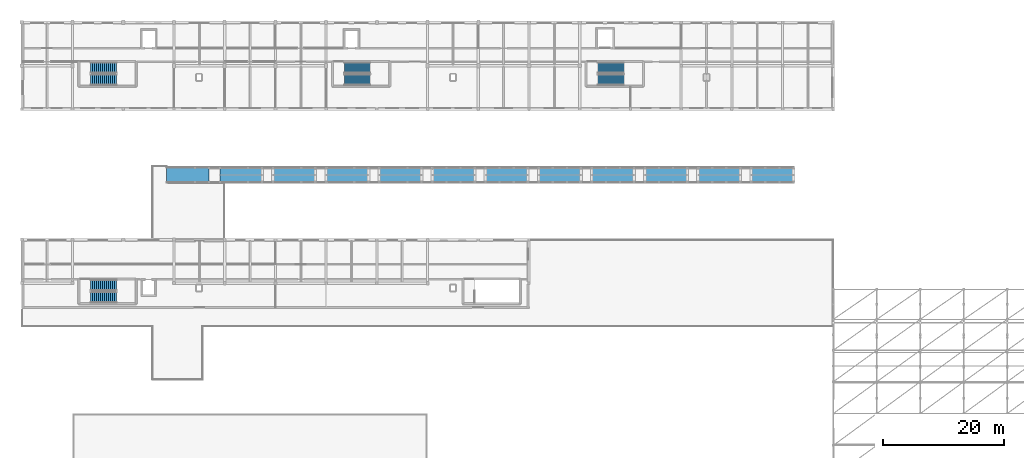
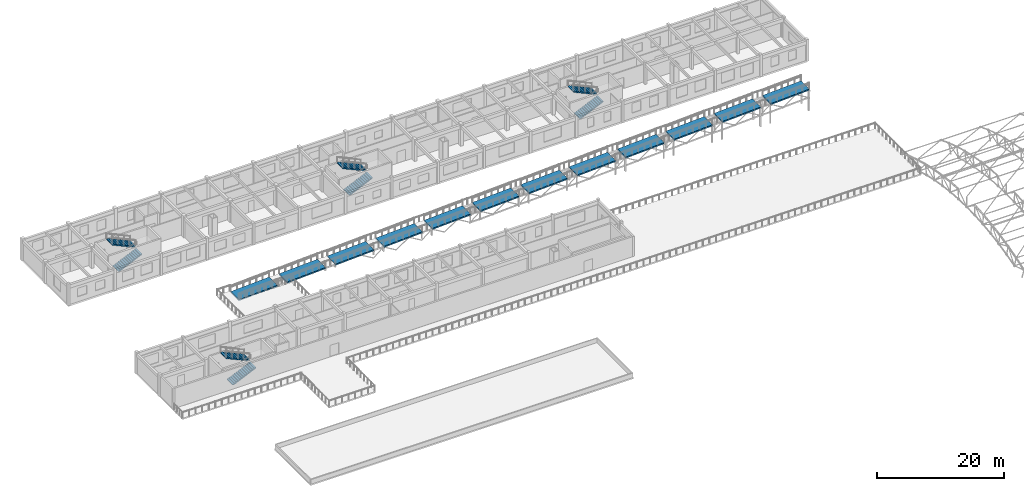
# One storey, part 34 of 41: 12 ramp flights, 8 stair flights, 5 elements without a shape of their own.
"""IFC4 building model written with IfcOpenShell, lengths in metres."""

from ifc_helpers import new_model, si_unit, direction, frame, origin, place, context, subcontext, project, spatial, polyline, outline, extrude, material, layer, layer_set, type_object, element, aggregate, save


model = new_model("IFC4")

# Units and contexts
model_context = context("Model", 3, precision=1e-05, world=origin(), true_north=direction((0.0, 1.0)))
body_context = subcontext(model_context, "Body", "Model", "MODEL_VIEW")
ifc_project = project(units=[si_unit("LENGTHUNIT", "METRE"), si_unit("AREAUNIT", "SQUARE_METRE"), si_unit("VOLUMEUNIT", "CUBIC_METRE"), si_unit("PLANEANGLEUNIT", "RADIAN"), si_unit("MASSUNIT", "GRAM", prefix="KILO")], contexts=[model_context])

# Site, building, storey
site_placement = place(None, origin())
site = spatial("IfcSite", under=ifc_project, at=site_placement, CompositionType="ELEMENT")
building_placement = place(site_placement, origin())
building = spatial("IfcBuilding", under=site, at=building_placement, Name="Malvenik Polytechnic", CompositionType="ELEMENT")
storey_placement = place(building_placement, frame((0.0, 0.0, 17.699951171875)))
storey = spatial("IfcBuildingStorey", under=building, at=storey_placement, Name="L04", CompositionType="ELEMENT", Elevation=17.699951171875)

# Stair, stair flights
ifc_material = material(Name="Concrete C35/45", Category="concrete")
stair_type_1 = type_object("IfcStairType", Name="ARC-STR-ST-01", PredefinedType="HALF_TURN_STAIR", material=ifc_material)
stair_1_placement = place(storey_placement, origin())
stair_1 = element("IfcStair", 1, at=stair_1_placement, inside=storey, type_object=stair_type_1, Name="L04 Escape Stair ST-01", PredefinedType="HALF_TURN_STAIR")
ifc_layer_1 = layer(ifc_material, 0.159912109375)
ifc_layer_set_1 = layer_set([ifc_layer_1], Name="Concrete C35/45")
stair_flight_type_1 = type_object("IfcStairFlightType", Name="ARC-SFL-SFL-180A", PredefinedType="STRAIGHT", material=ifc_layer_set_1)
stair_flight_1_placement = place(storey_placement, frame((11.39990234375, 120.050048828125, 0.0), z_axis=(0.0, 0.0, 1.0), x_axis=(1.0, 0.0, 0.0)))
stair_flight_1 = element("IfcStairFlight", 2, at=stair_flight_1_placement, type_object=stair_flight_type_1, Name="ST-01 flight 1", NumberOfRisers=14, NumberOfTreads=13, PredefinedType="STRAIGHT", RiserHeight=0.15, TreadLength=0.33, context=body_context, shape_type="SweptSolid", body=[
    extrude(outline(polyline([(0.0, 0.0), (0.0, 0.14990234375), (0.330078125, 0.14990234375), (0.330078125, 0.300048828125), (0.659912109375, 0.300048828125), (0.659912109375, 0.449951171875), (0.989990234375, 0.449951171875), (0.989990234375, 0.60009765625), (1.320068359375, 0.60009765625), (1.320068359375, 0.75), (1.64990234375, 0.75), (1.64990234375, 0.89990234375), (1.97998046875, 0.89990234375), (1.97998046875, 1.050048828125), (2.31005859375, 1.050048828125), (2.31005859375, 1.199951171875), (2.639892578125, 1.199951171875), (2.639892578125, 1.35009765625), (2.969970703125, 1.35009765625), (2.969970703125, 1.5), (3.300048828125, 1.5), (3.300048828125, 1.64990234375), (3.6298828125, 1.64990234375), (3.6298828125, 1.800048828125), (3.9599609375, 1.800048828125), (3.9599609375, 1.949951171875), (4.2900390625, 1.949951171875), (4.2900390625, 2.10009765625), (4.2900390625, 1.7744140625), (0.386474609375, 0.0), (0.0, 0.0)])), frame((0.0, 0.89990234375, 0.0), z_axis=(0.0, -1.0, 0.0), x_axis=(1.0, 0.0, 0.0)), (0.0, 0.0, 1.0), 1.800048828125),
])
stair_flight_2_placement = place(storey_placement, frame((15.68994140625, 122.050048828125, 2.10009765625), z_axis=(0.0, 0.0, 1.0), x_axis=(-1.0, 0.0, 0.0)))
stair_flight_2 = element("IfcStairFlight", 3, at=stair_flight_2_placement, type_object=stair_flight_type_1, Name="ST-01 flight 2", NumberOfRisers=14, NumberOfTreads=13, PredefinedType="STRAIGHT", RiserHeight=0.15, TreadLength=0.33, context=body_context, shape_type="SweptSolid", body=[
    extrude(outline(polyline([(0.0, 0.0), (0.0, 0.14990234375), (0.330078125, 0.14990234375), (0.330078125, 0.300048828125), (0.659912109375, 0.300048828125), (0.659912109375, 0.449951171875), (0.989990234375, 0.449951171875), (0.989990234375, 0.60009765625), (1.320068359375, 0.60009765625), (1.320068359375, 0.75), (1.64990234375, 0.75), (1.64990234375, 0.89990234375), (1.97998046875, 0.89990234375), (1.97998046875, 1.050048828125), (2.31005859375, 1.050048828125), (2.31005859375, 1.199951171875), (2.639892578125, 1.199951171875), (2.639892578125, 1.35009765625), (2.969970703125, 1.35009765625), (2.969970703125, 1.5), (3.300048828125, 1.5), (3.300048828125, 1.64990234375), (3.6298828125, 1.64990234375), (3.6298828125, 1.800048828125), (3.9599609375, 1.800048828125), (3.9599609375, 1.949951171875), (4.2900390625, 1.949951171875), (4.2900390625, 2.10009765625), (4.2900390625, 1.7744140625), (0.386474609375, 0.0), (0.0, 0.0)])), frame((0.0, 0.89990234375, 0.0), z_axis=(0.0, -1.0, 0.0), x_axis=(1.0, 0.0, 0.0)), (0.0, 0.0, 1.0), 1.800048828125),
])
aggregate(stair_1, [stair_flight_1, stair_flight_2])

stair_type_2 = type_object("IfcStairType", Name="ARC-STR-ST-03", PredefinedType="HALF_TURN_STAIR", material=ifc_material)
stair_2_placement = place(storey_placement, origin())
stair_2 = element("IfcStair", 4, at=stair_2_placement, inside=storey, type_object=stair_type_2, Name="L04 Escape Stair ST-03", PredefinedType="HALF_TURN_STAIR")
stair_flight_3_placement = place(storey_placement, frame((95.39990234375, 120.050048828125, 0.0), z_axis=(0.0, 0.0, 1.0), x_axis=(1.0, 0.0, 0.0)))
stair_flight_3 = element("IfcStairFlight", 5, at=stair_flight_3_placement, type_object=stair_flight_type_1, Name="ST-03 flight 1", NumberOfRisers=14, NumberOfTreads=13, PredefinedType="STRAIGHT", RiserHeight=0.15, TreadLength=0.33, context=body_context, shape_type="SweptSolid", body=[
    extrude(outline(polyline([(0.0, 0.0), (0.0, 0.14990234375), (0.330078125, 0.14990234375), (0.330078125, 0.300048828125), (0.659912109375, 0.300048828125), (0.659912109375, 0.449951171875), (0.989990234375, 0.449951171875), (0.989990234375, 0.60009765625), (1.320068359375, 0.60009765625), (1.320068359375, 0.75), (1.64990234375, 0.75), (1.64990234375, 0.89990234375), (1.97998046875, 0.89990234375), (1.97998046875, 1.050048828125), (2.31005859375, 1.050048828125), (2.31005859375, 1.199951171875), (2.639892578125, 1.199951171875), (2.639892578125, 1.35009765625), (2.969970703125, 1.35009765625), (2.969970703125, 1.5), (3.300048828125, 1.5), (3.300048828125, 1.64990234375), (3.6298828125, 1.64990234375), (3.6298828125, 1.800048828125), (3.9599609375, 1.800048828125), (3.9599609375, 1.949951171875), (4.2900390625, 1.949951171875), (4.2900390625, 2.10009765625), (4.2900390625, 1.7744140625), (0.386474609375, 0.0), (0.0, 0.0)])), frame((0.0, 0.89990234375, 0.0), z_axis=(0.0, -1.0, 0.0), x_axis=(1.0, 0.0, 0.0)), (0.0, 0.0, 1.0), 1.800048828125),
])
stair_flight_4_placement = place(storey_placement, frame((99.68994140625, 122.050048828125, 2.10009765625), z_axis=(0.0, 0.0, 1.0), x_axis=(-1.0, 0.0, 0.0)))
stair_flight_4 = element("IfcStairFlight", 6, at=stair_flight_4_placement, type_object=stair_flight_type_1, Name="ST-03 flight 2", NumberOfRisers=14, NumberOfTreads=13, PredefinedType="STRAIGHT", RiserHeight=0.15, TreadLength=0.33, context=body_context, shape_type="SweptSolid", body=[
    extrude(outline(polyline([(0.0, 0.0), (0.0, 0.14990234375), (0.330078125, 0.14990234375), (0.330078125, 0.300048828125), (0.659912109375, 0.300048828125), (0.659912109375, 0.449951171875), (0.989990234375, 0.449951171875), (0.989990234375, 0.60009765625), (1.320068359375, 0.60009765625), (1.320068359375, 0.75), (1.64990234375, 0.75), (1.64990234375, 0.89990234375), (1.97998046875, 0.89990234375), (1.97998046875, 1.050048828125), (2.31005859375, 1.050048828125), (2.31005859375, 1.199951171875), (2.639892578125, 1.199951171875), (2.639892578125, 1.35009765625), (2.969970703125, 1.35009765625), (2.969970703125, 1.5), (3.300048828125, 1.5), (3.300048828125, 1.64990234375), (3.6298828125, 1.64990234375), (3.6298828125, 1.800048828125), (3.9599609375, 1.800048828125), (3.9599609375, 1.949951171875), (4.2900390625, 1.949951171875), (4.2900390625, 2.10009765625), (4.2900390625, 1.7744140625), (0.386474609375, 0.0), (0.0, 0.0)])), frame((0.0, 0.89990234375, 0.0), z_axis=(0.0, -1.0, 0.0), x_axis=(1.0, 0.0, 0.0)), (0.0, 0.0, 1.0), 1.800048828125),
])
aggregate(stair_2, [stair_flight_3, stair_flight_4])

stair_type_3 = type_object("IfcStairType", Name="ARC-STR-ST-02", PredefinedType="HALF_TURN_STAIR", material=ifc_material)
stair_3_placement = place(storey_placement, origin())
stair_3 = element("IfcStair", 7, at=stair_3_placement, inside=storey, type_object=stair_type_3, Name="L04 Escape Stair ST-02", PredefinedType="HALF_TURN_STAIR")
ifc_layer_2 = layer(ifc_material, 0.179931640625)
ifc_layer_set_2 = layer_set([ifc_layer_2], Name="Concrete C35/45")
stair_flight_type_2 = type_object("IfcStairFlightType", Name="ARC-SFL-SFL-180B", PredefinedType="STRAIGHT", material=ifc_layer_set_2)
stair_flight_5_placement = place(storey_placement, frame((53.39990234375, 120.050048828125, 0.0), z_axis=(0.0, 0.0, 1.0), x_axis=(1.0, 0.0, 0.0)))
stair_flight_5 = element("IfcStairFlight", 8, at=stair_flight_5_placement, type_object=stair_flight_type_2, Name="ST-02 flight 1", NumberOfRisers=14, NumberOfTreads=13, PredefinedType="STRAIGHT", RiserHeight=0.15, TreadLength=0.33, context=body_context, shape_type="SweptSolid", body=[
    extrude(outline(polyline([(0.0, 0.0), (0.0, 0.14990234375), (0.330078125, 0.14990234375), (0.330078125, 0.300048828125), (0.659912109375, 0.300048828125), (0.659912109375, 0.449951171875), (0.989990234375, 0.449951171875), (0.989990234375, 0.60009765625), (1.320068359375, 0.60009765625), (1.320068359375, 0.75), (1.64990234375, 0.75), (1.64990234375, 0.89990234375), (1.97998046875, 0.89990234375), (1.97998046875, 1.050048828125), (2.31005859375, 1.050048828125), (2.31005859375, 1.199951171875), (2.639892578125, 1.199951171875), (2.639892578125, 1.35009765625), (2.969970703125, 1.35009765625), (2.969970703125, 1.5), (3.300048828125, 1.5), (3.300048828125, 1.64990234375), (3.6298828125, 1.64990234375), (3.6298828125, 1.800048828125), (3.9599609375, 1.800048828125), (3.9599609375, 1.949951171875), (4.2900390625, 1.949951171875), (4.2900390625, 2.10009765625), (4.2900390625, 1.7744140625), (0.386474609375, 0.0), (0.0, 0.0)])), frame((0.0, 0.89990234375, 0.0), z_axis=(0.0, -1.0, 0.0), x_axis=(1.0, 0.0, 0.0)), (0.0, 0.0, 1.0), 1.800048828125),
])
stair_flight_6_placement = place(storey_placement, frame((57.68994140625, 122.050048828125, 2.10009765625), z_axis=(0.0, 0.0, 1.0), x_axis=(-1.0, 0.0, 0.0)))
stair_flight_6 = element("IfcStairFlight", 9, at=stair_flight_6_placement, type_object=stair_flight_type_2, Name="ST-02 flight 2", NumberOfRisers=14, NumberOfTreads=13, PredefinedType="STRAIGHT", RiserHeight=0.15, TreadLength=0.33, context=body_context, shape_type="SweptSolid", body=[
    extrude(outline(polyline([(0.0, 0.0), (0.0, 0.14990234375), (0.330078125, 0.14990234375), (0.330078125, 0.300048828125), (0.659912109375, 0.300048828125), (0.659912109375, 0.449951171875), (0.989990234375, 0.449951171875), (0.989990234375, 0.60009765625), (1.320068359375, 0.60009765625), (1.320068359375, 0.75), (1.64990234375, 0.75), (1.64990234375, 0.89990234375), (1.97998046875, 0.89990234375), (1.97998046875, 1.050048828125), (2.31005859375, 1.050048828125), (2.31005859375, 1.199951171875), (2.639892578125, 1.199951171875), (2.639892578125, 1.35009765625), (2.969970703125, 1.35009765625), (2.969970703125, 1.5), (3.300048828125, 1.5), (3.300048828125, 1.64990234375), (3.6298828125, 1.64990234375), (3.6298828125, 1.800048828125), (3.9599609375, 1.800048828125), (3.9599609375, 1.949951171875), (4.2900390625, 1.949951171875), (4.2900390625, 2.10009765625), (4.2900390625, 1.7744140625), (0.386474609375, 0.0), (0.0, 0.0)])), frame((0.0, 0.89990234375, 0.0), z_axis=(0.0, -1.0, 0.0), x_axis=(1.0, 0.0, 0.0)), (0.0, 0.0, 1.0), 1.800048828125),
])
aggregate(stair_3, [stair_flight_5, stair_flight_6])

stair_type_4 = type_object("IfcStairType", Name="ARC-STR-ST-04", PredefinedType="HALF_TURN_STAIR", material=ifc_material)
stair_4_placement = place(storey_placement, origin())
stair_4 = element("IfcStair", 10, at=stair_4_placement, inside=storey, type_object=stair_type_4, Name="L04 Escape Stair ST-04", PredefinedType="HALF_TURN_STAIR")
stair_flight_7_placement = place(storey_placement, frame((11.39990234375, 84.050048828125, 0.0), z_axis=(0.0, 0.0, 1.0), x_axis=(1.0, 0.0, 0.0)))
stair_flight_7 = element("IfcStairFlight", 11, at=stair_flight_7_placement, type_object=stair_flight_type_2, Name="ST-04 flight 1", NumberOfRisers=14, NumberOfTreads=13, PredefinedType="STRAIGHT", RiserHeight=0.15, TreadLength=0.33, context=body_context, shape_type="SweptSolid", body=[
    extrude(outline(polyline([(0.0, 0.0), (0.0, 0.14990234375), (0.330078125, 0.14990234375), (0.330078125, 0.300048828125), (0.659912109375, 0.300048828125), (0.659912109375, 0.449951171875), (0.989990234375, 0.449951171875), (0.989990234375, 0.60009765625), (1.320068359375, 0.60009765625), (1.320068359375, 0.75), (1.64990234375, 0.75), (1.64990234375, 0.89990234375), (1.97998046875, 0.89990234375), (1.97998046875, 1.050048828125), (2.31005859375, 1.050048828125), (2.31005859375, 1.199951171875), (2.639892578125, 1.199951171875), (2.639892578125, 1.35009765625), (2.969970703125, 1.35009765625), (2.969970703125, 1.5), (3.300048828125, 1.5), (3.300048828125, 1.64990234375), (3.6298828125, 1.64990234375), (3.6298828125, 1.800048828125), (3.9599609375, 1.800048828125), (3.9599609375, 1.949951171875), (4.2900390625, 1.949951171875), (4.2900390625, 2.10009765625), (4.2900390625, 1.7744140625), (0.386474609375, 0.0), (0.0, 0.0)])), frame((0.0, 0.89990234375, 0.0), z_axis=(0.0, -1.0, 0.0), x_axis=(1.0, 0.0, 0.0)), (0.0, 0.0, 1.0), 1.800048828125),
])
stair_flight_8_placement = place(storey_placement, frame((15.68994140625, 86.050048828125, 2.10009765625), z_axis=(0.0, 0.0, 1.0), x_axis=(-1.0, 0.0, 0.0)))
stair_flight_8 = element("IfcStairFlight", 12, at=stair_flight_8_placement, type_object=stair_flight_type_2, Name="ST-04 flight 2", NumberOfRisers=14, NumberOfTreads=13, PredefinedType="STRAIGHT", RiserHeight=0.15, TreadLength=0.33, context=body_context, shape_type="SweptSolid", body=[
    extrude(outline(polyline([(0.0, 0.0), (0.0, 0.14990234375), (0.330078125, 0.14990234375), (0.330078125, 0.300048828125), (0.659912109375, 0.300048828125), (0.659912109375, 0.449951171875), (0.989990234375, 0.449951171875), (0.989990234375, 0.60009765625), (1.320068359375, 0.60009765625), (1.320068359375, 0.75), (1.64990234375, 0.75), (1.64990234375, 0.89990234375), (1.97998046875, 0.89990234375), (1.97998046875, 1.050048828125), (2.31005859375, 1.050048828125), (2.31005859375, 1.199951171875), (2.639892578125, 1.199951171875), (2.639892578125, 1.35009765625), (2.969970703125, 1.35009765625), (2.969970703125, 1.5), (3.300048828125, 1.5), (3.300048828125, 1.64990234375), (3.6298828125, 1.64990234375), (3.6298828125, 1.800048828125), (3.9599609375, 1.800048828125), (3.9599609375, 1.949951171875), (4.2900390625, 1.949951171875), (4.2900390625, 2.10009765625), (4.2900390625, 1.7744140625), (0.386474609375, 0.0), (0.0, 0.0)])), frame((0.0, 0.89990234375, 0.0), z_axis=(0.0, -1.0, 0.0), x_axis=(1.0, 0.0, 0.0)), (0.0, 0.0, 1.0), 1.800048828125),
])
aggregate(stair_4, [stair_flight_7, stair_flight_8])

# Ramp, ramp flights
ramp_type = type_object("IfcRampType", Name="ARC-RMP-PED", PredefinedType="STRAIGHT_RUN_RAMP", material=ifc_material)
ramp_placement = place(storey_placement, origin())
ramp = element("IfcRamp", 13, at=ramp_placement, inside=storey, type_object=ramp_type, Name="Accessible Pedestrian Ramp RB-03", PredefinedType="STRAIGHT_RUN_RAMP")
ifc_layer_3 = layer(ifc_material, 0.25)
ifc_layer_set_3 = layer_set([ifc_layer_3], Name="Concrete C35/45")
ramp_flight_type = type_object("IfcRampFlightType", Name="ARC-RFL-PED", PredefinedType="STRAIGHT", material=ifc_layer_set_3)
ramp_flight_1_placement = place(storey_placement, frame((24.0, 104.300048828125, 0.0), z_axis=(0.0, 0.0, 1.0), x_axis=(1.0, 0.0, 0.0)))
ramp_flight_1 = element("IfcRampFlight", 14, at=ramp_flight_1_placement, type_object=ramp_flight_type, Name="Ramp Flight RB-03 #1", PredefinedType="STRAIGHT", context=body_context, shape_type="SweptSolid", body=[
    extrude(outline(polyline([(0.0, -0.25), (7.0, 0.10009765625), (7.0, 0.35009765625), (0.0, 0.0), (0.0, -0.25)])), frame((0.0, 1.300048828125, 0.0), z_axis=(0.0, -1.0, 0.0), x_axis=(1.0, 0.0, 0.0)), (0.0, 0.0, 1.0), 2.60009765625),
])
ramp_flight_2_placement = place(storey_placement, frame((32.800048828125, 104.300048828125, 0.35009765625), z_axis=(0.0, 0.0, 1.0), x_axis=(1.0, 0.0, 0.0)))
ramp_flight_2 = element("IfcRampFlight", 15, at=ramp_flight_2_placement, type_object=ramp_flight_type, Name="Ramp Flight RB-03 #2", PredefinedType="STRAIGHT", context=body_context, shape_type="SweptSolid", body=[
    extrude(outline(polyline([(0.0, -0.25), (7.0, 0.099853515625), (7.0, 0.349853515625), (0.0, 0.0), (0.0, -0.25)])), frame((0.0, 1.300048828125, 0.0), z_axis=(0.0, -1.0, 0.0), x_axis=(1.0, 0.0, 0.0)), (0.0, 0.0, 1.0), 2.60009765625),
])
ramp_flight_3_placement = place(storey_placement, frame((41.60009765625, 104.300048828125, 0.699951171875), z_axis=(0.0, 0.0, 1.0), x_axis=(1.0, 0.0, 0.0)))
ramp_flight_3 = element("IfcRampFlight", 16, at=ramp_flight_3_placement, type_object=ramp_flight_type, Name="Ramp Flight RB-03 #3", PredefinedType="STRAIGHT", context=body_context, shape_type="SweptSolid", body=[
    extrude(outline(polyline([(0.0, -0.25), (7.0, 0.10009765625), (7.0, 0.35009765625), (0.0, 0.0), (0.0, -0.25)])), frame((0.0, 1.300048828125, 0.0), z_axis=(0.0, -1.0, 0.0), x_axis=(1.0, 0.0, 0.0)), (0.0, 0.0, 1.0), 2.60009765625),
])
ramp_flight_4_placement = place(storey_placement, frame((50.39990234375, 104.300048828125, 1.050048828125), z_axis=(0.0, 0.0, 1.0), x_axis=(1.0, 0.0, 0.0)))
ramp_flight_4 = element("IfcRampFlight", 17, at=ramp_flight_4_placement, type_object=ramp_flight_type, Name="Ramp Flight RB-03 #4", PredefinedType="STRAIGHT", context=body_context, shape_type="SweptSolid", body=[
    extrude(outline(polyline([(0.0, -0.25), (7.0, 0.10009765625), (7.0, 0.35009765625), (0.0, 0.0), (0.0, -0.25)])), frame((0.0, 1.300048828125, 0.0), z_axis=(0.0, -1.0, 0.0), x_axis=(1.0, 0.0, 0.0)), (0.0, 0.0, 1.0), 2.60009765625),
])
ramp_flight_5_placement = place(storey_placement, frame((59.199951171875, 104.300048828125, 1.400146484375), z_axis=(0.0, 0.0, 1.0), x_axis=(1.0, 0.0, 0.0)))
ramp_flight_5 = element("IfcRampFlight", 18, at=ramp_flight_5_placement, type_object=ramp_flight_type, Name="Ramp Flight RB-03 #5", PredefinedType="STRAIGHT", context=body_context, shape_type="SweptSolid", body=[
    extrude(outline(polyline([(0.0, -0.25), (7.0, 0.099853515625), (7.0, 0.349853515625), (0.0, 0.0), (0.0, -0.25)])), frame((0.0, 1.300048828125, 0.0), z_axis=(0.0, -1.0, 0.0), x_axis=(1.0, 0.0, 0.0)), (0.0, 0.0, 1.0), 2.60009765625),
])
ramp_flight_6_placement = place(storey_placement, frame((68.0, 104.300048828125, 1.75), z_axis=(0.0, 0.0, 1.0), x_axis=(1.0, 0.0, 0.0)))
ramp_flight_6 = element("IfcRampFlight", 19, at=ramp_flight_6_placement, type_object=ramp_flight_type, Name="Ramp Flight RB-03 #6", PredefinedType="STRAIGHT", context=body_context, shape_type="SweptSolid", body=[
    extrude(outline(polyline([(0.0, -0.25), (7.0, 0.10009765625), (7.0, 0.35009765625), (0.0, 0.0), (0.0, -0.25)])), frame((0.0, 1.300048828125, 0.0), z_axis=(0.0, -1.0, 0.0), x_axis=(1.0, 0.0, 0.0)), (0.0, 0.0, 1.0), 2.60009765625),
])
ramp_flight_7_placement = place(storey_placement, frame((76.800048828125, 104.300048828125, 2.10009765625), z_axis=(0.0, 0.0, 1.0), x_axis=(1.0, 0.0, 0.0)))
ramp_flight_7 = element("IfcRampFlight", 20, at=ramp_flight_7_placement, type_object=ramp_flight_type, Name="Ramp Flight RB-03 #7", PredefinedType="STRAIGHT", context=body_context, shape_type="SweptSolid", body=[
    extrude(outline(polyline([(0.0, -0.25), (7.0, 0.099853515625), (7.0, 0.349853515625), (0.0, 0.0), (0.0, -0.25)])), frame((0.0, 1.300048828125, 0.0), z_axis=(0.0, -1.0, 0.0), x_axis=(1.0, 0.0, 0.0)), (0.0, 0.0, 1.0), 2.60009765625),
])
ramp_flight_8_placement = place(storey_placement, frame((85.60009765625, 104.300048828125, 2.449951171875), z_axis=(0.0, 0.0, 1.0), x_axis=(1.0, 0.0, 0.0)))
ramp_flight_8 = element("IfcRampFlight", 21, at=ramp_flight_8_placement, type_object=ramp_flight_type, Name="Ramp Flight RB-03 #8", PredefinedType="STRAIGHT", context=body_context, shape_type="SweptSolid", body=[
    extrude(outline(polyline([(0.0, -0.25), (7.0, 0.10009765625), (7.0, 0.35009765625), (0.0, 0.0), (0.0, -0.25)])), frame((0.0, 1.300048828125, 0.0), z_axis=(0.0, -1.0, 0.0), x_axis=(1.0, 0.0, 0.0)), (0.0, 0.0, 1.0), 2.60009765625),
])
ramp_flight_9_placement = place(storey_placement, frame((94.39990234375, 104.300048828125, 2.800048828125), z_axis=(0.0, 0.0, 1.0), x_axis=(1.0, 0.0, 0.0)))
ramp_flight_9 = element("IfcRampFlight", 22, at=ramp_flight_9_placement, type_object=ramp_flight_type, Name="Ramp Flight RB-03 #9", PredefinedType="STRAIGHT", context=body_context, shape_type="SweptSolid", body=[
    extrude(outline(polyline([(0.0, -0.25), (7.0, 0.10009765625), (7.0, 0.35009765625), (0.0, 0.0), (0.0, -0.25)])), frame((0.0, 1.300048828125, 0.0), z_axis=(0.0, -1.0, 0.0), x_axis=(1.0, 0.0, 0.0)), (0.0, 0.0, 1.0), 2.60009765625),
])
ramp_flight_10_placement = place(storey_placement, frame((103.199951171875, 104.300048828125, 3.150146484375), z_axis=(0.0, 0.0, 1.0), x_axis=(1.0, 0.0, 0.0)))
ramp_flight_10 = element("IfcRampFlight", 23, at=ramp_flight_10_placement, type_object=ramp_flight_type, Name="Ramp Flight RB-03 #10", PredefinedType="STRAIGHT", context=body_context, shape_type="SweptSolid", body=[
    extrude(outline(polyline([(0.0, -0.25), (7.0, 0.099853515625), (7.0, 0.349853515625), (0.0, 0.0), (0.0, -0.25)])), frame((0.0, 1.300048828125, 0.0), z_axis=(0.0, -1.0, 0.0), x_axis=(1.0, 0.0, 0.0)), (0.0, 0.0, 1.0), 2.60009765625),
])
ramp_flight_11_placement = place(storey_placement, frame((112.0, 104.300048828125, 3.5), z_axis=(0.0, 0.0, 1.0), x_axis=(1.0, 0.0, 0.0)))
ramp_flight_11 = element("IfcRampFlight", 24, at=ramp_flight_11_placement, type_object=ramp_flight_type, Name="Ramp Flight RB-03 #11", PredefinedType="STRAIGHT", context=body_context, shape_type="SweptSolid", body=[
    extrude(outline(polyline([(0.0, -0.25), (7.0, 0.10009765625), (7.0, 0.35009765625), (0.0, 0.0), (0.0, -0.25)])), frame((0.0, 1.300048828125, 0.0), z_axis=(0.0, -1.0, 0.0), x_axis=(1.0, 0.0, 0.0)), (0.0, 0.0, 1.0), 2.60009765625),
])
ramp_flight_12_placement = place(storey_placement, frame((120.800048828125, 104.300048828125, 3.85009765625), z_axis=(0.0, 0.0, 1.0), x_axis=(1.0, 0.0, 0.0)))
ramp_flight_12 = element("IfcRampFlight", 25, at=ramp_flight_12_placement, type_object=ramp_flight_type, Name="Ramp Flight RB-03 #12", PredefinedType="STRAIGHT", context=body_context, shape_type="SweptSolid", body=[
    extrude(outline(polyline([(0.0, -0.25), (7.0, 0.099853515625), (7.0, 0.349853515625), (0.0, 0.0), (0.0, -0.25)])), frame((0.0, 1.300048828125, 0.0), z_axis=(0.0, -1.0, 0.0), x_axis=(1.0, 0.0, 0.0)), (0.0, 0.0, 1.0), 2.60009765625),
])
aggregate(ramp, [ramp_flight_1, ramp_flight_2, ramp_flight_3, ramp_flight_4, ramp_flight_5, ramp_flight_6, ramp_flight_7, ramp_flight_8, ramp_flight_9, ramp_flight_10, ramp_flight_11, ramp_flight_12])

save(model, "model.ifc")
